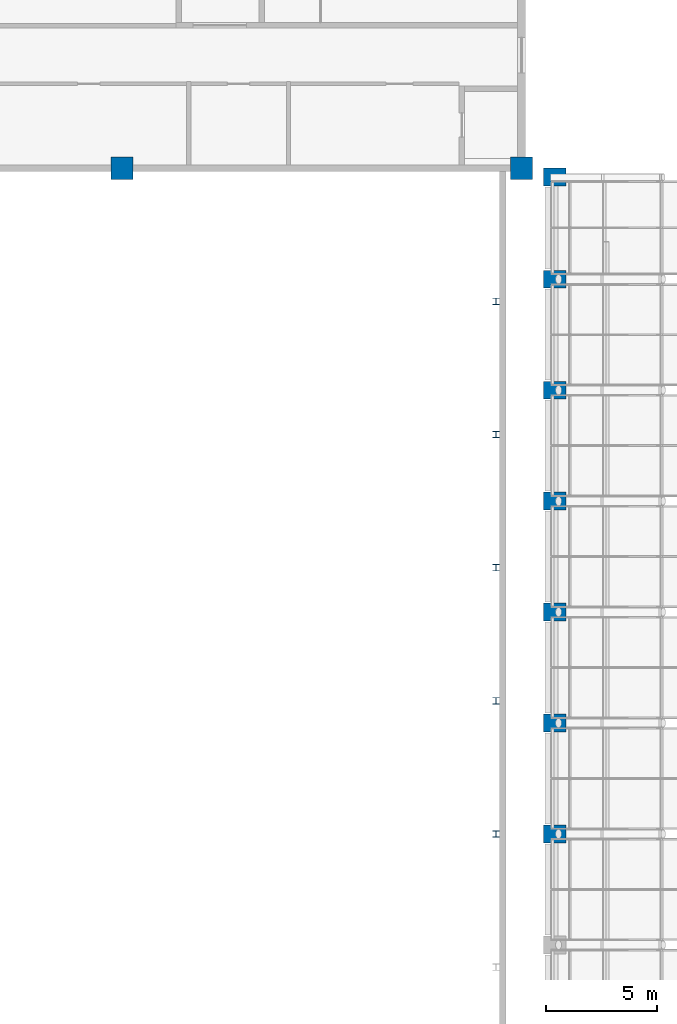
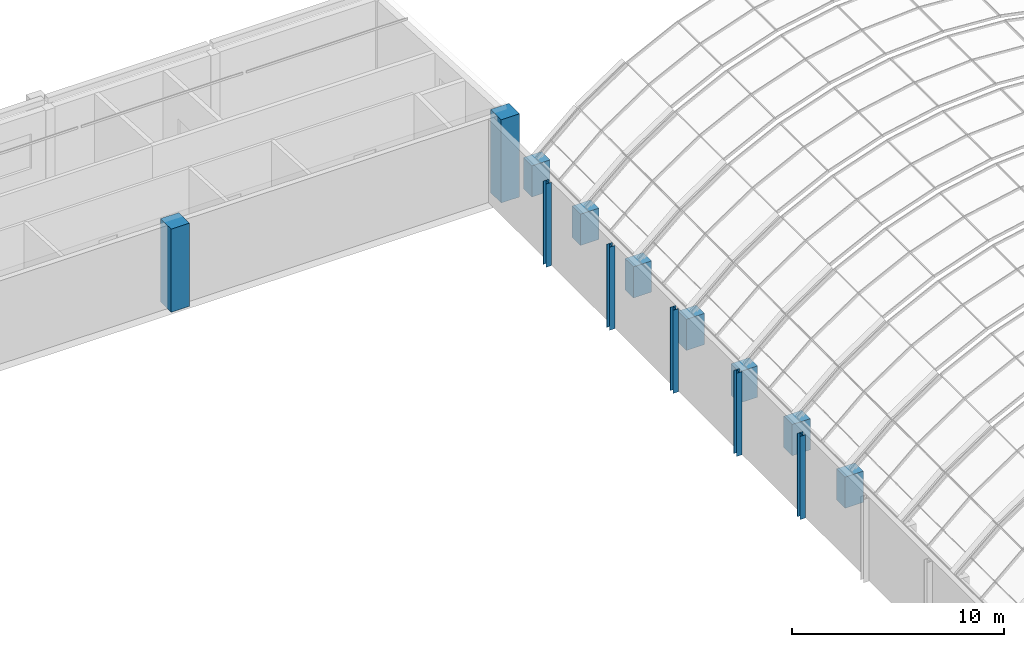
# One storey, part 24 of 182: 14 columns.
"""IFC4 building model written with IfcOpenShell, lengths in metres."""

import ifcopenshell
import ifcopenshell.guid

model = None  # the IFC model being written
_history = None  # IfcOwnerHistory: only IFC2X3 demands one
_inside = {}  # id of a spatial element -> (the spatial element, [elements in it])
_under = {}  # id of a project, library or spatial element -> (it, [spatial elements below it])
_declared = {}  # id of a project -> (the project, [libraries it declares])
_typed = {}  # id of a type object -> (the type object, [elements of that type])
_made_of = {}  # id of a material, layer set ... -> (it, [elements and type objects made of it])


def new_model(schema):
    """Start an empty IFC model of exactly this schema.

    Asked for "IFC4X3", IfcOpenShell would pick the latest addendum, in which some entities
    have other attributes; the version numbers below select the first issue.
    IFC2X3 requires an IfcOwnerHistory on every rooted entity: one is made here for all.
    """
    global model, _history
    if schema == "IFC4X3":
        model = ifcopenshell.file(schema_version=(4, 3, 0, 0))
    else:
        model = ifcopenshell.file(schema=schema)
    _inside.clear()
    _under.clear()
    _declared.clear()
    _typed.clear()
    _made_of.clear()
    _history = None
    if model.schema == "IFC2X3":
        org = make("IfcOrganization", Name="unknown")
        user = make(
            "IfcPersonAndOrganization",
            ThePerson=make("IfcPerson", FamilyName="unknown"),
            TheOrganization=org,
        )
        app = make(
            "IfcApplication",
            ApplicationDeveloper=org,
            Version="unknown",
            ApplicationFullName="unknown",
            ApplicationIdentifier="unknown",
        )
        _history = make(
            "IfcOwnerHistory",
            OwningUser=user,
            OwningApplication=app,
            ChangeAction="ADDED",
            CreationDate=0,
        )
    return model


def make(cls, **values):
    """One entity of the class cls with the attributes given. An attribute that is None is left unset."""
    return model.create_entity(
        cls, **{name: value for name, value in values.items() if value is not None}
    )


def rooted(cls, **values):
    """An entity with a GlobalId (a new one), such as an element, a storey or a relation."""
    return make(cls, GlobalId=ifcopenshell.guid.new(), OwnerHistory=_history, **values)


def si_unit(unit_type, name, prefix=None):
    """IfcSIUnit, for example si_unit("LENGTHUNIT", "METRE", prefix="MILLI")."""
    return make("IfcSIUnit", UnitType=unit_type, Prefix=prefix, Name=name)


def assignment(units):
    """IfcUnitAssignment: the units of a project."""
    return None if units is None else make("IfcUnitAssignment", Units=units)


def point(xyz):
    """IfcCartesianPoint."""
    return None if xyz is None else make("IfcCartesianPoint", Coordinates=xyz)


def direction(xyz):
    """IfcDirection."""
    return None if xyz is None else make("IfcDirection", DirectionRatios=xyz)


def frame(location, z_axis=None, x_axis=None):
    """IfcAxis2Placement3D, a coordinate frame: its origin and axes. An axis left out is left unset."""
    return make(
        "IfcAxis2Placement3D",
        Location=point(location),
        Axis=direction(z_axis),
        RefDirection=direction(x_axis),
    )


def frame_2d(location, x_axis=None):
    """IfcAxis2Placement2D, a coordinate frame in the plane: its origin and x axis."""
    return make(
        "IfcAxis2Placement2D", Location=point(location), RefDirection=direction(x_axis)
    )


def origin():
    """The frame at (0, 0, 0) with its axes left unset."""
    return frame((0.0, 0.0, 0.0))


def origin_2d():
    """The frame at (0, 0) in the plane with its x axis left unset."""
    return frame_2d((0.0, 0.0))


def place(relative_to, where):
    """IfcLocalPlacement: puts the frame where relative to a parent placement (None: the world)."""
    return make(
        "IfcLocalPlacement", PlacementRelTo=relative_to, RelativePlacement=where
    )


def context(
    kind, dimensions, precision=None, world=None, true_north=None, identifier=None
):
    """IfcGeometricRepresentationContext, for example the 3D "Model" context."""
    return make(
        "IfcGeometricRepresentationContext",
        ContextIdentifier=identifier,
        ContextType=kind,
        CoordinateSpaceDimension=dimensions,
        Precision=precision,
        WorldCoordinateSystem=world,
        TrueNorth=true_north,
    )


def subcontext(parent, identifier, kind, view, scale=None):
    """IfcGeometricRepresentationSubContext, for example "Body" below "Model"."""
    return make(
        "IfcGeometricRepresentationSubContext",
        ContextIdentifier=identifier,
        ContextType=kind,
        ParentContext=parent,
        TargetScale=scale,
        TargetView=view,
    )


def project(units=None, contexts=None):
    """IfcProject with its units and contexts."""
    return rooted(
        "IfcProject",
        Name="project",
        RepresentationContexts=contexts,
        UnitsInContext=assignment(units),
    )


def spatial(cls, under=None, at=None, **own):
    """A site, building, storey or space (cls), placed at a placement, below another one or the project."""
    s = rooted(cls, ObjectPlacement=at, **own)
    if under is not None:
        _under.setdefault(under.id(), (under, []))[1].append(s)
    return s


def profile(cls, at=None, kind="AREA", **sizes):
    """A parametric profile (cls). Its sizes go by their IFC names, for example OverallWidth=200.0."""
    return make(cls, ProfileType=kind, Position=at, **sizes)


def rectangle(**sizes):
    """IfcRectangleProfileDef."""
    return profile("IfcRectangleProfileDef", **sizes)


def i_section(**sizes):
    """IfcIShapeProfileDef."""
    return profile("IfcIShapeProfileDef", **sizes)


def extrude(swept, where, along, depth):
    """IfcExtrudedAreaSolid: the profile swept, set in the frame where, extruded along a direction by depth."""
    return make(
        "IfcExtrudedAreaSolid",
        SweptArea=swept,
        Position=where,
        ExtrudedDirection=direction(along),
        Depth=depth,
    )


def shape(context_of_items, identifier, shape_type, items):
    """IfcShapeRepresentation: the items that make up one representation, for example the "Body"."""
    return make(
        "IfcShapeRepresentation",
        ContextOfItems=context_of_items,
        RepresentationIdentifier=identifier,
        RepresentationType=shape_type,
        Items=items,
    )


def material(Name=None, Category=None):
    """IfcMaterial."""
    return make("IfcMaterial", Name=Name, Category=Category)


def material_profile(
    of_material, cross_section, Name=None, Category=None, Priority=None
):
    """IfcMaterialProfile: a cross section and its material."""
    return make(
        "IfcMaterialProfile",
        Name=Name,
        Material=of_material,
        Profile=cross_section,
        Priority=Priority,
        Category=Category,
    )


def profile_set(profiles, Name=None, composite=None):
    """IfcMaterialProfileSet."""
    return make(
        "IfcMaterialProfileSet",
        Name=Name,
        MaterialProfiles=profiles,
        CompositeProfile=composite,
    )


def made_of(thing, what):
    """Note that an element or type object is made of a material, layer set ...; save() writes the relation."""
    if what is not None:
        _made_of.setdefault(what.id(), (what, []))[1].append(thing)
    return thing


def type_object(cls, material=None, **own):
    """A type object (cls), such as IfcWallType, which elements share."""
    return made_of(rooted(cls, **own), material)


def element(
    cls,
    number,
    at=None,
    inside=None,
    cuts=None,
    type_object=None,
    material=None,
    context=None,
    identifier="Body",
    shape_type=None,
    held_by="IfcProductDefinitionShape",
    body=None,
    shapes=None,
    **own,
):
    """One element of the class cls, such as IfcWall. Its Tag is "e" and its number.

    at: its placement. inside: the storey or other place that contains it. cuts: it is an
    opening in that element (IfcRelVoidsElement). A single representation is given by context,
    identifier, shape_type and body (its items); several are given by shapes. held_by: the class
    of the entity that holds the representations. save() writes the other relations.
    """
    e = rooted(cls, Tag="e%d" % number, ObjectPlacement=at, **own)
    if body is not None:
        shapes = [shape(context, identifier, shape_type, body)]
    if shapes is not None:
        e.Representation = make(held_by, Representations=shapes)
    if inside is not None:
        _inside.setdefault(inside.id(), (inside, []))[1].append(e)
    if cuts is not None:
        rooted(
            "IfcRelVoidsElement", RelatingBuildingElement=cuts, RelatedOpeningElement=e
        )
    if type_object is not None:
        _typed.setdefault(type_object.id(), (type_object, []))[1].append(e)
    return made_of(e, material)


def aggregate(whole, parts):
    """IfcRelAggregates: a whole, such as a stair, and the parts it consists of."""
    return rooted("IfcRelAggregates", RelatingObject=whole, RelatedObjects=parts)


def save(model, path):
    """Write the relations noted so far, then the file.

    IfcRelAggregates (storeys below a building ...), IfcRelContainedInSpatialStructure (elements
    in a storey), IfcRelDefinesByType, IfcRelAssociatesMaterial and IfcRelDeclares: one each for
    every whole, place, type object, material and project.
    """
    for whole, parts in _under.values():
        aggregate(whole, parts)
    for where, things in _inside.values():
        rooted(
            "IfcRelContainedInSpatialStructure",
            RelatedElements=things,
            RelatingStructure=where,
        )
    for kind, things in _typed.values():
        rooted("IfcRelDefinesByType", RelatedObjects=things, RelatingType=kind)
    for what, things in _made_of.values():
        rooted("IfcRelAssociatesMaterial", RelatedObjects=things, RelatingMaterial=what)
    for by, libraries in _declared.values():
        rooted("IfcRelDeclares", RelatingContext=by, RelatedDefinitions=libraries)
    model.write(path)


model = new_model("IFC4")

# Units and contexts
model_context = context("Model", 3, precision=1e-05, world=origin(), true_north=direction((0.0, 1.0)))
body_context = subcontext(model_context, "Body", "Model", "MODEL_VIEW")
ifc_project = project(units=[si_unit("LENGTHUNIT", "METRE"), si_unit("AREAUNIT", "SQUARE_METRE"), si_unit("VOLUMEUNIT", "CUBIC_METRE"), si_unit("PLANEANGLEUNIT", "RADIAN"), si_unit("MASSUNIT", "GRAM", prefix="KILO")], contexts=[model_context])

# Site, building, storey
site_placement = place(None, origin())
site = spatial("IfcSite", under=ifc_project, at=site_placement, CompositionType="ELEMENT")
building_placement = place(site_placement, origin())
building = spatial("IfcBuilding", under=site, at=building_placement, Name="Okhra Congress Centre", CompositionType="ELEMENT")
storey_placement = place(building_placement, frame((0.0, 0.0, 7.199951171875)))
storey = spatial("IfcBuildingStorey", under=building, at=storey_placement, Name="L01", CompositionType="ELEMENT", Elevation=7.199951171875)

# Columns
ifc_material_1 = material(Name="Steel S355J2", Category="steel")
ifc_material_profile_1 = material_profile(ifc_material_1, i_section(OverallWidth=0.300048828125, OverallDepth=0.2900390625, WebThickness=0.008544921875, FlangeThickness=0.013916015625, at=origin_2d()), Name="HE 300 A")
ifc_profile_set_1 = profile_set([ifc_material_profile_1], Name="Steel S355J2")
column_type_1 = type_object("IfcColumnType", Name="HE 300 A", PredefinedType="COLUMN", material=ifc_profile_set_1)
for number, where, z_axis, x_axis, name in (
    (1, (152.85009765625, 186.0, 0.0), (0.0, 0.0, 1.0), (1.0, 0.0, 0.0), "EH.COL.L01.WP32"),
    (2, (152.85009765625, 192.0, 0.0), (0.0, 0.0, 1.0), (1.0, 0.0, 0.0), "EH.COL.L01.WP34"),
    (3, (152.85009765625, 198.0, 0.0), (0.0, 0.0, 1.0), (1.0, 0.0, 0.0), "EH.COL.L01.WP36"),
    (4, (152.85009765625, 204.0, 0.0), (0.0, 0.0, 1.0), (1.0, 0.0, 0.0), "EH.COL.L01.WP38"),
    (5, (152.85009765625, 210.0, 0.0), (0.0, 0.0, 1.0), (1.0, 0.0, 0.0), "EH.COL.L01.WP40"),
):
    element("IfcColumn", number, at=place(storey_placement, frame(where, z_axis=z_axis, x_axis=x_axis)), inside=storey, type_object=column_type_1, Name=name, PredefinedType="COLUMN", context=body_context, shape_type="SweptSolid", body=[
        extrude(i_section(OverallWidth=0.300048828125, OverallDepth=0.2900390625, WebThickness=0.008544921875, FlangeThickness=0.013916015625, at=origin_2d()), origin(), (0.0, 0.0, 1.0), 4.800048828125),
    ])
ifc_material_2 = material(Name="Concrete C40/50", Category="concrete")
ifc_material_profile_2 = material_profile(ifc_material_2, rectangle(XDim=1.0, YDim=1.0, at=origin_2d()), Name="RC 1000x1000")
ifc_profile_set_2 = profile_set([ifc_material_profile_2], Name="Concrete C40/50")
column_type_2 = type_object("IfcColumnType", Name="RC column 1000x1000 C40/50", PredefinedType="COLUMN", material=ifc_profile_set_2)
for number, where, z_axis, x_axis, name in (
    (6, (136.0, 216.0, 0.0), (0.0, 0.0, 1.0), (1.0, 0.0, 0.0), "EH.COL.L01.SC14"),
    (7, (154.0, 216.0, 0.0), (0.0, 0.0, 1.0), (1.0, 0.0, 0.0), "EH.COL.L01.SC16"),
):
    element("IfcColumn", number, at=place(storey_placement, frame(where, z_axis=z_axis, x_axis=x_axis)), inside=storey, type_object=column_type_2, Name=name, PredefinedType="COLUMN", context=body_context, shape_type="SweptSolid", body=[
        extrude(rectangle(XDim=1.0, YDim=1.0, at=origin_2d()), origin(), (0.0, 0.0, 1.0), 4.800048828125),
    ])
ifc_material_profile_3 = material_profile(ifc_material_2, rectangle(XDim=1.0, YDim=0.800048828125, at=origin_2d()), Name="RC 1000x800")
ifc_profile_set_3 = profile_set([ifc_material_profile_3], Name="Concrete C40/50")
column_type_3 = type_object("IfcColumnType", Name="RC pier 1000x800 C40/50", PredefinedType="COLUMN", material=ifc_profile_set_3)
for number, where, z_axis, x_axis, name in (
    (8, (155.5, 186.0, 0.0), (0.0, 0.0, 1.0), (1.0, 0.0, 0.0), "WG.COL.L01.pier-W22"),
    (9, (155.5, 191.0, 0.0), (0.0, 0.0, 1.0), (1.0, 0.0, 0.0), "WG.COL.L01.pier-W23"),
    (10, (155.5, 196.0, 0.0), (0.0, 0.0, 1.0), (1.0, 0.0, 0.0), "WG.COL.L01.pier-W24"),
    (11, (155.5, 201.0, 0.0), (0.0, 0.0, 1.0), (1.0, 0.0, 0.0), "WG.COL.L01.pier-W25"),
    (12, (155.5, 206.0, 0.0), (0.0, 0.0, 1.0), (1.0, 0.0, 0.0), "WG.COL.L01.pier-W26"),
    (13, (155.5, 211.0, 0.0), (0.0, 0.0, 1.0), (1.0, 0.0, 0.0), "WG.COL.L01.pier-W27"),
    (14, (155.5, 215.60009765625, 0.0), (0.0, 0.0, 1.0), (1.0, 0.0, 0.0), "WG.COL.L01.pier-W28"),
):
    element("IfcColumn", number, at=place(storey_placement, frame(where, z_axis=z_axis, x_axis=x_axis)), inside=storey, type_object=column_type_3, Name=name, PredefinedType="COLUMN", context=body_context, shape_type="SweptSolid", body=[
        extrude(rectangle(XDim=1.0, YDim=0.800048828125, at=origin_2d()), origin(), (0.0, 0.0, 1.0), 1.800048828125),
    ])

save(model, "model.ifc")
